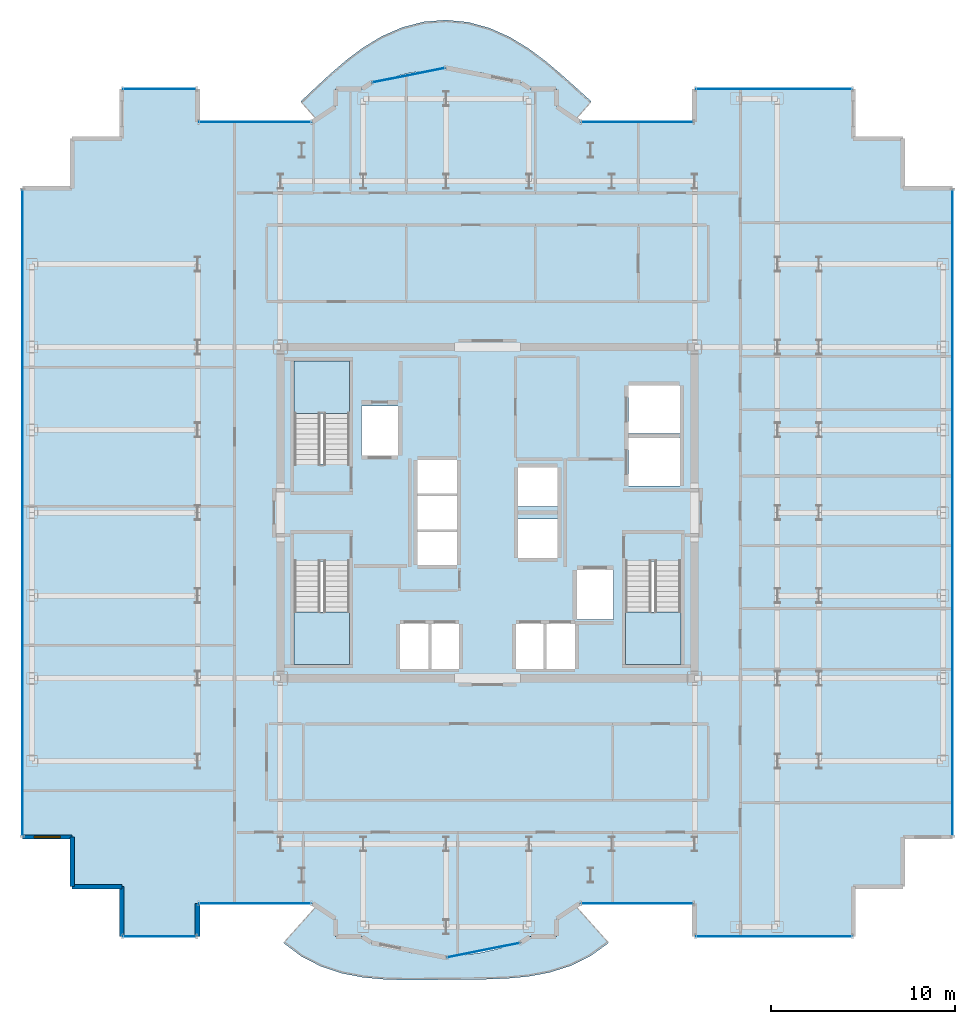
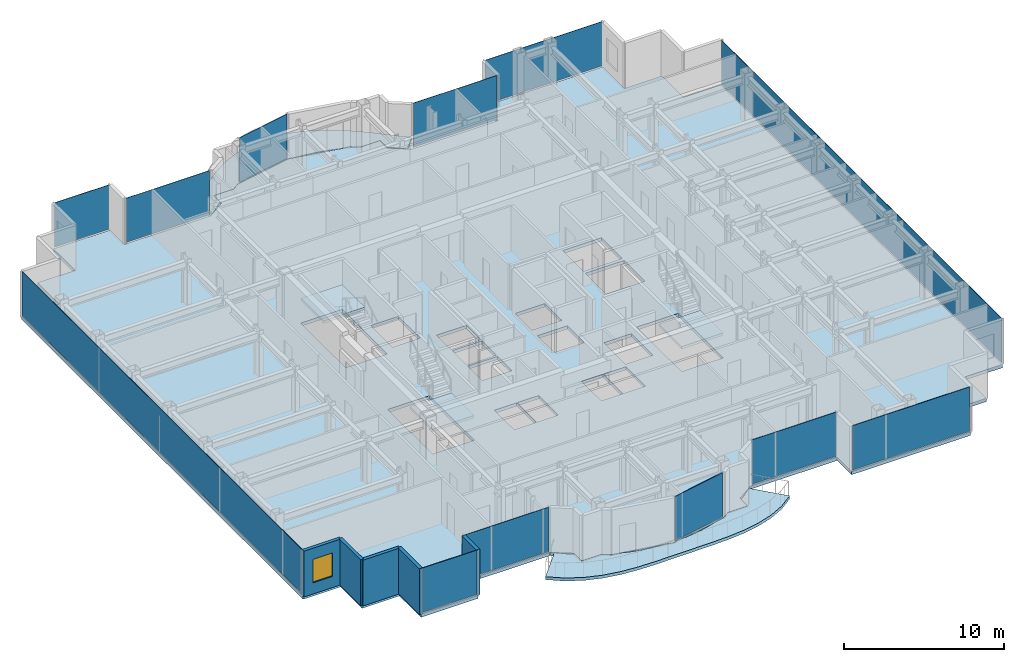
# One storey, part 13 of 21: 12 plates, 6 slabs, 5 walls, 1 window, 1 opening, 15 elements without a shape of their own.
"""IFC4 building model written with IfcOpenShell, lengths in metres."""

import ifcopenshell
import ifcopenshell.guid

model = None  # the IFC model being written
_history = None  # IfcOwnerHistory: only IFC2X3 demands one
_inside = {}  # id of a spatial element -> (the spatial element, [elements in it])
_under = {}  # id of a project, library or spatial element -> (it, [spatial elements below it])
_declared = {}  # id of a project -> (the project, [libraries it declares])
_typed = {}  # id of a type object -> (the type object, [elements of that type])
_made_of = {}  # id of a material, layer set ... -> (it, [elements and type objects made of it])


def new_model(schema):
    """Start an empty IFC model of exactly this schema.

    Asked for "IFC4X3", IfcOpenShell would pick the latest addendum, in which some entities
    have other attributes; the version numbers below select the first issue.
    IFC2X3 requires an IfcOwnerHistory on every rooted entity: one is made here for all.
    """
    global model, _history
    if schema == "IFC4X3":
        model = ifcopenshell.file(schema_version=(4, 3, 0, 0))
    else:
        model = ifcopenshell.file(schema=schema)
    _inside.clear()
    _under.clear()
    _declared.clear()
    _typed.clear()
    _made_of.clear()
    _history = None
    if model.schema == "IFC2X3":
        org = make("IfcOrganization", Name="unknown")
        user = make(
            "IfcPersonAndOrganization",
            ThePerson=make("IfcPerson", FamilyName="unknown"),
            TheOrganization=org,
        )
        app = make(
            "IfcApplication",
            ApplicationDeveloper=org,
            Version="unknown",
            ApplicationFullName="unknown",
            ApplicationIdentifier="unknown",
        )
        _history = make(
            "IfcOwnerHistory",
            OwningUser=user,
            OwningApplication=app,
            ChangeAction="ADDED",
            CreationDate=0,
        )
    return model


def make(cls, **values):
    """One entity of the class cls with the attributes given. An attribute that is None is left unset."""
    return model.create_entity(
        cls, **{name: value for name, value in values.items() if value is not None}
    )


def rooted(cls, **values):
    """An entity with a GlobalId (a new one), such as an element, a storey or a relation."""
    return make(cls, GlobalId=ifcopenshell.guid.new(), OwnerHistory=_history, **values)


def si_unit(unit_type, name, prefix=None):
    """IfcSIUnit, for example si_unit("LENGTHUNIT", "METRE", prefix="MILLI")."""
    return make("IfcSIUnit", UnitType=unit_type, Prefix=prefix, Name=name)


def assignment(units):
    """IfcUnitAssignment: the units of a project."""
    return None if units is None else make("IfcUnitAssignment", Units=units)


def point(xyz):
    """IfcCartesianPoint."""
    return None if xyz is None else make("IfcCartesianPoint", Coordinates=xyz)


def direction(xyz):
    """IfcDirection."""
    return None if xyz is None else make("IfcDirection", DirectionRatios=xyz)


def frame(location, z_axis=None, x_axis=None):
    """IfcAxis2Placement3D, a coordinate frame: its origin and axes. An axis left out is left unset."""
    return make(
        "IfcAxis2Placement3D",
        Location=point(location),
        Axis=direction(z_axis),
        RefDirection=direction(x_axis),
    )


def frame_2d(location, x_axis=None):
    """IfcAxis2Placement2D, a coordinate frame in the plane: its origin and x axis."""
    return make(
        "IfcAxis2Placement2D", Location=point(location), RefDirection=direction(x_axis)
    )


def origin():
    """The frame at (0, 0, 0) with its axes left unset."""
    return frame((0.0, 0.0, 0.0))


def origin_2d():
    """The frame at (0, 0) in the plane with its x axis left unset."""
    return frame_2d((0.0, 0.0))


def place(relative_to, where):
    """IfcLocalPlacement: puts the frame where relative to a parent placement (None: the world)."""
    return make(
        "IfcLocalPlacement", PlacementRelTo=relative_to, RelativePlacement=where
    )


def context(
    kind, dimensions, precision=None, world=None, true_north=None, identifier=None
):
    """IfcGeometricRepresentationContext, for example the 3D "Model" context."""
    return make(
        "IfcGeometricRepresentationContext",
        ContextIdentifier=identifier,
        ContextType=kind,
        CoordinateSpaceDimension=dimensions,
        Precision=precision,
        WorldCoordinateSystem=world,
        TrueNorth=true_north,
    )


def subcontext(parent, identifier, kind, view, scale=None):
    """IfcGeometricRepresentationSubContext, for example "Body" below "Model"."""
    return make(
        "IfcGeometricRepresentationSubContext",
        ContextIdentifier=identifier,
        ContextType=kind,
        ParentContext=parent,
        TargetScale=scale,
        TargetView=view,
    )


def project(units=None, contexts=None):
    """IfcProject with its units and contexts."""
    return rooted(
        "IfcProject",
        Name="project",
        RepresentationContexts=contexts,
        UnitsInContext=assignment(units),
    )


def spatial(cls, under=None, at=None, **own):
    """A site, building, storey or space (cls), placed at a placement, below another one or the project."""
    s = rooted(cls, ObjectPlacement=at, **own)
    if under is not None:
        _under.setdefault(under.id(), (under, []))[1].append(s)
    return s


def polyline(points):
    """IfcPolyline through the points."""
    return make("IfcPolyline", Points=[point(p) for p in points])


def profile(cls, at=None, kind="AREA", **sizes):
    """A parametric profile (cls). Its sizes go by their IFC names, for example OverallWidth=200.0."""
    return make(cls, ProfileType=kind, Position=at, **sizes)


def rectangle(**sizes):
    """IfcRectangleProfileDef."""
    return profile("IfcRectangleProfileDef", **sizes)


def outline(outer, holes=None, kind="AREA"):
    """IfcArbitraryClosedProfileDef: a profile drawn as a closed curve; with holes, ...WithVoids."""
    if holes is None:
        return make("IfcArbitraryClosedProfileDef", ProfileType=kind, OuterCurve=outer)
    return make(
        "IfcArbitraryProfileDefWithVoids",
        ProfileType=kind,
        OuterCurve=outer,
        InnerCurves=holes,
    )


def extrude(swept, where, along, depth):
    """IfcExtrudedAreaSolid: the profile swept, set in the frame where, extruded along a direction by depth."""
    return make(
        "IfcExtrudedAreaSolid",
        SweptArea=swept,
        Position=where,
        ExtrudedDirection=direction(along),
        Depth=depth,
    )


def shape(context_of_items, identifier, shape_type, items):
    """IfcShapeRepresentation: the items that make up one representation, for example the "Body"."""
    return make(
        "IfcShapeRepresentation",
        ContextOfItems=context_of_items,
        RepresentationIdentifier=identifier,
        RepresentationType=shape_type,
        Items=items,
    )


def source(mapping_origin, context_of_items, identifier, shape_type, items):
    """IfcRepresentationMap: a shape defined once, which mapped items show again and again."""
    return make(
        "IfcRepresentationMap",
        MappingOrigin=mapping_origin,
        MappedRepresentation=shape(context_of_items, identifier, shape_type, items),
    )


def transform(
    local_origin,
    x_axis=None,
    y_axis=None,
    z_axis=None,
    scale=None,
    scale2=None,
    scale3=None,
    uniform=True,
):
    """IfcCartesianTransformationOperator3D, or its non-uniform kind. x_axis, y_axis, z_axis: its Axis1, 2, 3."""
    if uniform:
        return make(
            "IfcCartesianTransformationOperator3D",
            Axis1=direction(x_axis),
            Axis2=direction(y_axis),
            LocalOrigin=point(local_origin),
            Scale=scale,
            Axis3=direction(z_axis),
        )
    return make(
        "IfcCartesianTransformationOperator3DnonUniform",
        Axis1=direction(x_axis),
        Axis2=direction(y_axis),
        LocalOrigin=point(local_origin),
        Scale=scale,
        Axis3=direction(z_axis),
        Scale2=scale2,
        Scale3=scale3,
    )


def mapped(mapping_source, mapping_target):
    """IfcMappedItem: shows the shape of a source again, moved by a transform."""
    return make(
        "IfcMappedItem", MappingSource=mapping_source, MappingTarget=mapping_target
    )


def material(Name=None, Category=None):
    """IfcMaterial."""
    return make("IfcMaterial", Name=Name, Category=Category)


def layer(
    of_material, thickness, ventilated=None, Name=None, Category=None, Priority=None
):
    """IfcMaterialLayer: one layer of a wall or slab, of a material (None: an air gap)."""
    return make(
        "IfcMaterialLayer",
        Material=of_material,
        LayerThickness=thickness,
        IsVentilated=ventilated,
        Name=Name,
        Category=Category,
        Priority=Priority,
    )


def layer_set(layers, Name=None):
    """IfcMaterialLayerSet."""
    return make("IfcMaterialLayerSet", MaterialLayers=layers, LayerSetName=Name)


def made_of(thing, what):
    """Note that an element or type object is made of a material, layer set ...; save() writes the relation."""
    if what is not None:
        _made_of.setdefault(what.id(), (what, []))[1].append(thing)
    return thing


def type_object(cls, material=None, **own):
    """A type object (cls), such as IfcWallType, which elements share."""
    return made_of(rooted(cls, **own), material)


def element(
    cls,
    number,
    at=None,
    inside=None,
    cuts=None,
    type_object=None,
    material=None,
    context=None,
    identifier="Body",
    shape_type=None,
    held_by="IfcProductDefinitionShape",
    body=None,
    shapes=None,
    **own,
):
    """One element of the class cls, such as IfcWall. Its Tag is "e" and its number.

    at: its placement. inside: the storey or other place that contains it. cuts: it is an
    opening in that element (IfcRelVoidsElement). A single representation is given by context,
    identifier, shape_type and body (its items); several are given by shapes. held_by: the class
    of the entity that holds the representations. save() writes the other relations.
    """
    e = rooted(cls, Tag="e%d" % number, ObjectPlacement=at, **own)
    if body is not None:
        shapes = [shape(context, identifier, shape_type, body)]
    if shapes is not None:
        e.Representation = make(held_by, Representations=shapes)
    if inside is not None:
        _inside.setdefault(inside.id(), (inside, []))[1].append(e)
    if cuts is not None:
        rooted(
            "IfcRelVoidsElement", RelatingBuildingElement=cuts, RelatedOpeningElement=e
        )
    if type_object is not None:
        _typed.setdefault(type_object.id(), (type_object, []))[1].append(e)
    return made_of(e, material)


def fill(opening, filler):
    """IfcRelFillsElement: the door or window that sits in an opening."""
    return rooted(
        "IfcRelFillsElement",
        RelatingOpeningElement=opening,
        RelatedBuildingElement=filler,
    )


def aggregate(whole, parts):
    """IfcRelAggregates: a whole, such as a stair, and the parts it consists of."""
    return rooted("IfcRelAggregates", RelatingObject=whole, RelatedObjects=parts)


def save(model, path):
    """Write the relations noted so far, then the file.

    IfcRelAggregates (storeys below a building ...), IfcRelContainedInSpatialStructure (elements
    in a storey), IfcRelDefinesByType, IfcRelAssociatesMaterial and IfcRelDeclares: one each for
    every whole, place, type object, material and project.
    """
    for whole, parts in _under.values():
        aggregate(whole, parts)
    for where, things in _inside.values():
        rooted(
            "IfcRelContainedInSpatialStructure",
            RelatedElements=things,
            RelatingStructure=where,
        )
    for kind, things in _typed.values():
        rooted("IfcRelDefinesByType", RelatedObjects=things, RelatingType=kind)
    for what, things in _made_of.values():
        rooted("IfcRelAssociatesMaterial", RelatedObjects=things, RelatingMaterial=what)
    for by, libraries in _declared.values():
        rooted("IfcRelDeclares", RelatingContext=by, RelatedDefinitions=libraries)
    model.write(path)


model = new_model("IFC4")

# Units and contexts
model_context = context("Model", 3, precision=1e-05, world=origin(), true_north=direction((0.0, 1.0)))
body_context = subcontext(model_context, "Body", "Model", "MODEL_VIEW")
ifc_project = project(units=[si_unit("LENGTHUNIT", "METRE"), si_unit("AREAUNIT", "SQUARE_METRE"), si_unit("VOLUMEUNIT", "CUBIC_METRE"), si_unit("PLANEANGLEUNIT", "RADIAN"), si_unit("MASSUNIT", "GRAM", prefix="KILO")], contexts=[model_context])

# Site, building, storey
site_placement = place(None, origin())
site = spatial("IfcSite", under=ifc_project, at=site_placement, CompositionType="ELEMENT")
building_placement = place(site_placement, origin())
building = spatial("IfcBuilding", under=site, at=building_placement, Name="Nefas-Gora Pilgrimage Tower", CompositionType="ELEMENT")
storey_placement = place(building_placement, frame((0.0, 0.0, 256.0)))
storey = spatial("IfcBuildingStorey", under=building, at=storey_placement, Name="L64", CompositionType="ELEMENT", Elevation=256.0)

# Slabs
ifc_material_1 = material(Name="Concrete C40/50", Category="concrete")
ifc_layer_1 = layer(ifc_material_1, 0.22998046875)
ifc_layer_set_1 = layer_set([ifc_layer_1], Name="Concrete C40/50")
slab_type_1 = type_object("IfcSlabType", Name="SLB-BAL-P2", PredefinedType="FLOOR", material=ifc_layer_set_1)
slab_1_placement = place(storey_placement, frame((0.0, 0.0, -0.22998046875)))
element("IfcSlab", 1, at=slab_1_placement, inside=storey, type_object=slab_type_1, Name="L64 Sinusoidal Lobe Balcony Slab S (Phase 2)", PredefinedType="FLOOR", context=body_context, shape_type="SweptSolid", body=[
    extrude(outline(polyline([(4.78759765625, -21.385986328125), (4.724609375, -21.427978515625), (4.038330078125, -21.9912109375), (3.760009765625, -22.179931640625), (3.760009765625, -23.02001953125), (3.760009765625, -23.02099609375), (3.759765625, -23.02197265625), (3.759521484375, -23.02294921875), (3.75927734375, -23.023681640625), (3.7587890625, -23.024658203125), (3.75830078125, -23.025634765625), (3.7578125, -23.0263671875), (3.757080078125, -23.027099609375), (3.75634765625, -23.027587890625), (3.755615234375, -23.0283203125), (3.754638671875, -23.02880859375), (3.75390625, -23.029296875), (3.7529296875, -23.029541015625), (3.751953125, -23.02978515625), (3.7509765625, -23.030029296875), (3.75, -23.030029296875), (2.3271484375, -23.030029296875), (1.81298828125, -23.37353515625), (1.81201171875, -23.3740234375), (1.811279296875, -23.37451171875), (1.810302734375, -23.375), (1.809326171875, -23.375), (1.13037109375, -23.51025390625), (0.602783203125, -23.685302734375), (-0.334716796875, -23.904052734375), (-1.288330078125, -24.035888671875), (-1.580078125, -24.04931640625), (-2.248046875, -24.18212890625), (-2.2490234375, -24.182373046875), (-2.25, -24.182373046875), (-2.2509765625, -24.182373046875), (-2.251953125, -24.18212890625), (-2.919921875, -24.04931640625), (-3.211669921875, -24.035888671875), (-4.165283203125, -23.904052734375), (-5.102783203125, -23.685302734375), (-5.63037109375, -23.51025390625), (-6.309326171875, -23.375), (-6.310302734375, -23.375), (-6.311279296875, -23.37451171875), (-6.31201171875, -23.3740234375), (-6.31298828125, -23.37353515625), (-6.8271484375, -23.030029296875), (-8.25, -23.030029296875), (-8.2509765625, -23.030029296875), (-8.251953125, -23.02978515625), (-8.2529296875, -23.029541015625), (-8.25390625, -23.029296875), (-8.254638671875, -23.02880859375), (-8.255615234375, -23.0283203125), (-8.25634765625, -23.027587890625), (-8.257080078125, -23.027099609375), (-8.2578125, -23.0263671875), (-8.25830078125, -23.025634765625), (-8.2587890625, -23.024658203125), (-8.25927734375, -23.023681640625), (-8.259521484375, -23.02294921875), (-8.259765625, -23.02197265625), (-8.260009765625, -23.02099609375), (-8.260009765625, -23.02001953125), (-8.260009765625, -22.179931640625), (-8.538330078125, -21.9912109375), (-9.224609375, -21.427978515625), (-9.28759765625, -21.385986328125), (-11.08251953125, -23.37939453125), (-10.11669921875, -24.10498046875), (-9.04248046875, -24.654296875), (-7.901611328125, -25.0302734375), (-6.73486328125, -25.25341796875), (-5.574951171875, -25.359130859375), (-4.440673828125, -25.389404296875), (-3.33544921875, -25.3837890625), (-2.25, -25.37060546875), (-1.16650390625, -25.36181640625), (-0.06689453125, -25.349365234375), (1.060302734375, -25.307861328125), (2.214111328125, -25.19921875), (3.37744140625, -24.9814453125), (4.5205078125, -24.618408203125), (5.602294921875, -24.085693359375), (6.580810546875, -23.377685546875), (4.78759765625, -21.385986328125)])), origin(), (0.0, 0.0, 1.0), 0.22998046875),
])
ifc_layer_2 = layer(ifc_material_1, 0.219970703125)
ifc_layer_set_2 = layer_set([ifc_layer_2], Name="Concrete C40/50")
slab_type_2 = type_object("IfcSlabType", Name="SLB-BAL-P6", PredefinedType="FLOOR", material=ifc_layer_set_2)
slab_2_placement = place(storey_placement, frame((0.0, 0.0, -0.219970703125)))
element("IfcSlab", 2, at=slab_2_placement, inside=storey, type_object=slab_type_2, Name="L64 Sinusoidal Lobe Balcony Slab N (Phase 6)", PredefinedType="FLOOR", context=body_context, shape_type="SweptSolid", body=[
    extrude(outline(polyline([(-9.28759765625, 21.385986328125), (-9.224609375, 21.427978515625), (-8.538330078125, 21.9912109375), (-8.260009765625, 22.179931640625), (-8.260009765625, 23.02001953125), (-8.260009765625, 23.02099609375), (-8.259765625, 23.02197265625), (-8.259521484375, 23.02294921875), (-8.25927734375, 23.023681640625), (-8.2587890625, 23.024658203125), (-8.25830078125, 23.025634765625), (-8.2578125, 23.0263671875), (-8.257080078125, 23.027099609375), (-8.25634765625, 23.027587890625), (-8.255615234375, 23.0283203125), (-8.254638671875, 23.02880859375), (-8.25390625, 23.029296875), (-8.2529296875, 23.029541015625), (-8.251953125, 23.02978515625), (-8.2509765625, 23.030029296875), (-8.25, 23.030029296875), (-6.8271484375, 23.030029296875), (-6.31298828125, 23.37353515625), (-6.31201171875, 23.3740234375), (-6.311279296875, 23.37451171875), (-6.310302734375, 23.375), (-6.309326171875, 23.375), (-5.63037109375, 23.51025390625), (-5.102783203125, 23.685302734375), (-4.165283203125, 23.904052734375), (-3.211669921875, 24.035888671875), (-2.919921875, 24.04931640625), (-2.251953125, 24.18212890625), (-2.2509765625, 24.182373046875), (-2.25, 24.182373046875), (-2.2490234375, 24.182373046875), (-2.248046875, 24.18212890625), (-1.580078125, 24.04931640625), (-1.288330078125, 24.035888671875), (-0.334716796875, 23.904052734375), (0.602783203125, 23.685302734375), (1.13037109375, 23.51025390625), (1.809326171875, 23.375), (1.810302734375, 23.375), (1.811279296875, 23.37451171875), (1.81201171875, 23.3740234375), (1.81298828125, 23.37353515625), (2.3271484375, 23.030029296875), (3.75, 23.030029296875), (3.7509765625, 23.030029296875), (3.751953125, 23.02978515625), (3.7529296875, 23.029541015625), (3.75390625, 23.029296875), (3.754638671875, 23.02880859375), (3.755615234375, 23.0283203125), (3.75634765625, 23.027587890625), (3.757080078125, 23.027099609375), (3.7578125, 23.0263671875), (3.75830078125, 23.025634765625), (3.7587890625, 23.024658203125), (3.75927734375, 23.023681640625), (3.759521484375, 23.02294921875), (3.759765625, 23.02197265625), (3.760009765625, 23.02099609375), (3.760009765625, 23.02001953125), (3.760009765625, 22.179931640625), (4.038330078125, 21.9912109375), (4.724609375, 21.427978515625), (4.78759765625, 21.385986328125), (5.645751953125, 22.339111328125), (4.84130859375, 23.06640625), (4.02001953125, 23.801513671875), (3.15576171875, 24.53173828125), (2.224365234375, 25.226318359375), (1.211181640625, 25.84228515625), (0.115234375, 26.33203125), (-1.048095703125, 26.6513671875), (-2.25, 26.769287109375), (-3.4541015625, 26.67333984375), (-4.622802734375, 26.3720703125), (-5.7255859375, 25.8935546875), (-6.7451171875, 25.280517578125), (-7.6796875, 24.580322265625), (-8.5419921875, 23.837646484375), (-9.355712890625, 23.085693359375), (-10.1474609375, 22.3408203125), (-9.28759765625, 21.385986328125)])), origin(), (0.0, 0.0, 1.0), 0.219970703125),
])
ifc_layer_3 = layer(ifc_material_1, 0.25)
ifc_layer_set_3 = layer_set([ifc_layer_3], Name="Concrete C40/50")
slab_type_3 = type_object("IfcSlabType", Name="SLB-TWR-260", PredefinedType="FLOOR", material=ifc_layer_set_3)
slab_3_placement = place(storey_placement, frame((0.0, 0.0, -0.25)))
element("IfcSlab", 3, at=slab_3_placement, inside=storey, type_object=slab_type_3, Name="L64 Structural Floor Slab", PredefinedType="FLOOR", context=body_context, shape_type="SweptSolid", body=[
    extrude(outline(polyline([(5.01806640625, -21.219970703125), (11.25, -21.219970703125), (11.25, -23.02001953125), (19.8701171875, -23.02001953125), (19.8701171875, -20.320068359375), (22.570068359375, -20.320068359375), (22.570068359375, -17.6201171875), (25.27001953125, -17.6201171875), (25.27001953125, 17.6201171875), (22.570068359375, 17.6201171875), (22.570068359375, 20.320068359375), (19.8701171875, 20.320068359375), (19.8701171875, 23.02001953125), (11.25, 23.02001953125), (11.25, 21.219970703125), (5.01806640625, 21.219970703125), (3.75, 22.0673828125), (3.75, 23.02001953125), (2.32421875, 23.02001953125), (1.807373046875, 23.365234375), (-2.25, 24.17236328125), (-6.307373046875, 23.365234375), (-6.82421875, 23.02001953125), (-8.25, 23.02001953125), (-8.25, 22.0673828125), (-9.51806640625, 21.219970703125), (-15.75, 21.219970703125), (-15.75, 23.02001953125), (-19.8701171875, 23.02001953125), (-19.8701171875, 20.320068359375), (-22.570068359375, 20.320068359375), (-22.570068359375, 17.6201171875), (-25.27001953125, 17.6201171875), (-25.27001953125, -17.6201171875), (-22.570068359375, -17.6201171875), (-22.570068359375, -20.320068359375), (-19.8701171875, -20.320068359375), (-19.8701171875, -23.02001953125), (-15.75, -23.02001953125), (-15.75, -21.219970703125), (-9.51806640625, -21.219970703125), (-8.25, -22.0673828125), (-8.25, -23.02001953125), (-6.82421875, -23.02001953125), (-6.307373046875, -23.365234375), (-2.25, -24.17236328125), (1.807373046875, -23.365234375), (2.32421875, -23.02001953125), (3.75, -23.02001953125), (3.75, -22.0673828125), (5.01806640625, -21.219970703125)]), holes=[polyline([(-10.5, 2.639892578125), (-10.5, 8.25), (-7.5, 8.25), (-7.5, 2.639892578125), (-10.5, 2.639892578125)]), polyline([(10.5, -2.639892578125), (10.5, -8.25), (7.5, -8.25), (7.5, -2.639892578125), (10.5, -2.639892578125)]), polyline([(-7.5, -2.639892578125), (-7.5, -8.25), (-10.5, -8.25), (-10.5, -2.639892578125), (-7.5, -2.639892578125)]), polyline([(-6.85009765625, 5.800048828125), (-4.85009765625, 5.800048828125), (-4.85009765625, 3.10009765625), (-6.85009765625, 3.10009765625), (-6.85009765625, 5.800048828125)]), polyline([(4.85009765625, -3.10009765625), (6.85009765625, -3.10009765625), (6.85009765625, -5.800048828125), (4.85009765625, -5.800048828125), (4.85009765625, -3.10009765625)]), polyline([(7.64990234375, 4.050048828125), (10.449951171875, 4.050048828125), (10.449951171875, 1.449951171875), (7.64990234375, 1.449951171875), (7.64990234375, 4.050048828125)]), polyline([(7.64990234375, 6.89990234375), (10.449951171875, 6.89990234375), (10.449951171875, 4.300048828125), (7.64990234375, 4.300048828125), (7.64990234375, 6.89990234375)]), polyline([(-4.75, -6.050048828125), (-3.14990234375, -6.050048828125), (-3.14990234375, -8.5), (-4.75, -8.5), (-4.75, -6.050048828125)]), polyline([(-3.10009765625, -6.050048828125), (-1.550048828125, -6.050048828125), (-1.550048828125, -8.5), (-3.10009765625, -8.5), (-3.10009765625, -6.050048828125)]), polyline([(1.550048828125, -6.050048828125), (3.10009765625, -6.050048828125), (3.10009765625, -8.5), (1.550048828125, -8.5), (1.550048828125, -6.050048828125)]), polyline([(3.14990234375, -6.050048828125), (4.75, -6.050048828125), (4.75, -8.5), (3.14990234375, -8.5), (3.14990234375, -6.050048828125)]), polyline([(-3.800048828125, -1.050048828125), (-1.64990234375, -1.050048828125), (-1.64990234375, -2.85009765625), (-3.800048828125, -2.85009765625), (-3.800048828125, -1.050048828125)]), polyline([(-3.800048828125, 0.89990234375), (-1.64990234375, 0.89990234375), (-1.64990234375, -0.89990234375), (-3.800048828125, -0.89990234375), (-3.800048828125, 0.89990234375)]), polyline([(-3.800048828125, 2.85009765625), (-1.64990234375, 2.85009765625), (-1.64990234375, 1.050048828125), (-3.800048828125, 1.050048828125), (-3.800048828125, 2.85009765625)]), polyline([(1.64990234375, -0.35009765625), (3.800048828125, -0.35009765625), (3.800048828125, -2.449951171875), (1.64990234375, -2.449951171875), (1.64990234375, -0.35009765625)]), polyline([(1.64990234375, 2.449951171875), (3.800048828125, 2.449951171875), (3.800048828125, 0.35009765625), (1.64990234375, 0.35009765625), (1.64990234375, 2.449951171875)])]), origin(), (0.0, 0.0, 1.0), 0.25),
])

# Stair, slab
ifc_material_2 = material(Name="Concrete C45/55", Category="concrete")
stair_type = type_object("IfcStairType", Name="STR-1400-R1727", PredefinedType="HALF_TURN_STAIR", material=ifc_material_2)
stair_1_placement = place(storey_placement, origin())
stair_1 = element("IfcStair", 4, at=stair_1_placement, inside=storey, type_object=stair_type, Name="L64 Pressurised Tower Exit Stair ST-01", PredefinedType="HALF_TURN_STAIR")
ifc_layer_4 = layer(ifc_material_1, 0.199951171875)
ifc_layer_set_4 = layer_set([ifc_layer_4], Name="Concrete C40/50")
slab_type_4 = type_object("IfcSlabType", Name="STR-LAND-200", PredefinedType="LANDING", material=ifc_layer_set_4)
slab_4_placement = place(storey_placement, frame((0.0, 0.0, 1.699951171875)))
slab_4 = element("IfcSlab", 5, at=slab_4_placement, type_object=slab_type_4, Name="ST-01 landing 1", PredefinedType="LANDING", context=body_context, shape_type="SweptSolid", body=[
    extrude(outline(polyline([(-7.5, 5.39990234375), (-7.5, 8.25), (-10.5, 8.25), (-10.5, 5.39990234375), (-7.5, 5.39990234375)])), origin(), (0.0, 0.0, 1.0), 0.199951171875),
])
aggregate(stair_1, [slab_4])

stair_2_placement = place(storey_placement, origin())
stair_2 = element("IfcStair", 6, at=stair_2_placement, inside=storey, type_object=stair_type, Name="L64 Pressurised Tower Exit Stair ST-02", PredefinedType="HALF_TURN_STAIR")
slab_5_placement = place(storey_placement, frame((0.0, 0.0, 1.699951171875)))
slab_5 = element("IfcSlab", 7, at=slab_5_placement, type_object=slab_type_4, Name="ST-02 landing 1", PredefinedType="LANDING", context=body_context, shape_type="SweptSolid", body=[
    extrude(outline(polyline([(7.5, -5.39990234375), (7.5, -8.25), (10.5, -8.25), (10.5, -5.39990234375), (7.5, -5.39990234375)])), origin(), (0.0, 0.0, 1.0), 0.199951171875),
])
aggregate(stair_2, [slab_5])

stair_3_placement = place(storey_placement, origin())
stair_3 = element("IfcStair", 8, at=stair_3_placement, inside=storey, type_object=stair_type, Name="L64 Pressurised Tower Exit Stair ST-03", PredefinedType="HALF_TURN_STAIR")
slab_6_placement = place(storey_placement, frame((0.0, 0.0, 1.699951171875)))
slab_6 = element("IfcSlab", 9, at=slab_6_placement, type_object=slab_type_4, Name="ST-03 landing 1", PredefinedType="LANDING", context=body_context, shape_type="SweptSolid", body=[
    extrude(outline(polyline([(-10.5, -5.39990234375), (-10.5, -8.25), (-7.5, -8.25), (-7.5, -5.39990234375), (-10.5, -5.39990234375)])), origin(), (0.0, 0.0, 1.0), 0.199951171875),
])
aggregate(stair_3, [slab_6])

# Curtain wall, plate
ifc_material_3 = material(Name="Dark ceramic-fritted solar-control aluminium-glass curtain wall", Category="aluminium")
ifc_layer_5 = layer(ifc_material_3, 0.219970703125)
ifc_layer_set_5 = layer_set([ifc_layer_5], Name="Dark ceramic-fritted solar-control aluminium-glass curtain wall")
curtain_wall_type_1 = type_object("IfcCurtainWallType", Name="CW-SYS-5", PredefinedType="NOTDEFINED", material=ifc_layer_set_5)
curtain_wall_1_placement = place(storey_placement, origin())
curtain_wall_1 = element("IfcCurtainWall", 10, at=curtain_wall_1_placement, inside=storey, type_object=curtain_wall_type_1, Name="L64 Unitised Curtain Wall CW5", PredefinedType="NOTDEFINED")
ifc_material_4 = material(Name="Dark ceramic-printed low-e insulated glass", Category="glass")
ifc_layer_6 = layer(ifc_material_4, 0.028076171875)
ifc_layer_set_6 = layer_set([ifc_layer_6], Name="Dark ceramic-printed low-e insulated glass")
plate_type_1 = type_object("IfcPlateType", Name="CWP-PNL-5", PredefinedType="CURTAIN_PANEL", material=ifc_layer_set_6)
shared_shape_1 = source(origin(), body_context, "Body", "SweptSolid", [
    extrude(rectangle(XDim=6.052001953125, YDim=0.028076171875, at=origin_2d()), origin(), (0.0, 0.0, 1.0), 3.389892578125),
])
plate_1_placement = place(storey_placement, frame((8.134033203125, -21.219970703125, 0.10009765625), z_axis=(0.0, 0.0, 1.0), x_axis=(1.0, 0.0, 0.0)))
plate_1 = element("IfcPlate", 11, at=plate_1_placement, type_object=plate_type_1, Name="CW5 Ceramic-Fritted Glazing Panel 1", PredefinedType="CURTAIN_PANEL", context=body_context, shape_type="MappedRepresentation", body=[
    mapped(shared_shape_1, transform((0.0, 0.0, 0.0), x_axis=(1.0, 0.0, 0.0), y_axis=(0.0, 1.0, 0.0), z_axis=(0.0, 0.0, 1.0), scale=1.0)),
])
aggregate(curtain_wall_1, [plate_1])

curtain_wall_2_placement = place(storey_placement, origin())
curtain_wall_2 = element("IfcCurtainWall", 12, at=curtain_wall_2_placement, inside=storey, type_object=curtain_wall_type_1, Name="L64 Unitised Curtain Wall CW5", PredefinedType="NOTDEFINED")
plate_2_placement = place(storey_placement, frame((8.134033203125, 21.219970703125, 0.10009765625), z_axis=(0.0, 0.0, 1.0), x_axis=(-1.0, 0.0, 0.0)))
plate_2 = element("IfcPlate", 13, at=plate_2_placement, type_object=plate_type_1, Name="CW5 Ceramic-Fritted Glazing Panel 1", PredefinedType="CURTAIN_PANEL", context=body_context, shape_type="MappedRepresentation", body=[
    mapped(shared_shape_1, transform((0.0, 0.0, 0.0), x_axis=(1.0, 0.0, 0.0), y_axis=(0.0, 1.0, 0.0), z_axis=(0.0, 0.0, 1.0), scale=1.0)),
])
aggregate(curtain_wall_2, [plate_2])

curtain_wall_3_placement = place(storey_placement, origin())
curtain_wall_3 = element("IfcCurtainWall", 14, at=curtain_wall_3_placement, inside=storey, type_object=curtain_wall_type_1, Name="L64 Unitised Curtain Wall CW5", PredefinedType="NOTDEFINED")
plate_3_placement = place(storey_placement, frame((-12.634033203125, 21.219970703125, 0.10009765625), z_axis=(0.0, 0.0, 1.0), x_axis=(-1.0, 0.0, 0.0)))
plate_3 = element("IfcPlate", 15, at=plate_3_placement, type_object=plate_type_1, Name="CW5 Ceramic-Fritted Glazing Panel 1", PredefinedType="CURTAIN_PANEL", context=body_context, shape_type="MappedRepresentation", body=[
    mapped(shared_shape_1, transform((0.0, 0.0, 0.0), x_axis=(1.0, 0.0, 0.0), y_axis=(0.0, 1.0, 0.0), z_axis=(0.0, 0.0, 1.0), scale=1.0)),
])
aggregate(curtain_wall_3, [plate_3])

curtain_wall_4_placement = place(storey_placement, origin())
curtain_wall_4 = element("IfcCurtainWall", 16, at=curtain_wall_4_placement, inside=storey, type_object=curtain_wall_type_1, Name="L64 Unitised Curtain Wall CW5", PredefinedType="NOTDEFINED")
plate_4_placement = place(storey_placement, frame((-12.634033203125, -21.219970703125, 0.10009765625), z_axis=(0.0, 0.0, 1.0), x_axis=(1.0, 0.0, 0.0)))
plate_4 = element("IfcPlate", 17, at=plate_4_placement, type_object=plate_type_1, Name="CW5 Ceramic-Fritted Glazing Panel 1", PredefinedType="CURTAIN_PANEL", context=body_context, shape_type="MappedRepresentation", body=[
    mapped(shared_shape_1, transform((0.0, 0.0, 0.0), x_axis=(1.0, 0.0, 0.0), y_axis=(0.0, 1.0, 0.0), z_axis=(0.0, 0.0, 1.0), scale=1.0)),
])
aggregate(curtain_wall_4, [plate_4])

curtain_wall_5_placement = place(storey_placement, origin())
curtain_wall_5 = element("IfcCurtainWall", 18, at=curtain_wall_5_placement, inside=storey, type_object=curtain_wall_type_1, Name="L64 Unitised Curtain Wall CW5", PredefinedType="NOTDEFINED")
shared_shape_2 = source(origin(), body_context, "Body", "SweptSolid", [
    extrude(rectangle(XDim=3.956787109375, YDim=0.028076171875, at=origin_2d()), origin(), (0.0, 0.0, 1.0), 3.389892578125),
])
plate_5_placement = place(storey_placement, frame((-4.278564453125, 23.768798828125, 0.10009765625), z_axis=(0.0, 0.0, 1.0), x_axis=(-0.980782896852, -0.195102304554, 0.0)))
plate_5 = element("IfcPlate", 19, at=plate_5_placement, type_object=plate_type_1, Name="CW5 Ceramic-Fritted Glazing Panel 1", PredefinedType="CURTAIN_PANEL", context=body_context, shape_type="MappedRepresentation", body=[
    mapped(shared_shape_2, transform((0.0, 0.0, 0.0), x_axis=(1.0, 0.0, 0.0), y_axis=(0.0, 1.0, 0.0), z_axis=(0.0, 0.0, 1.0), scale=1.0)),
])
aggregate(curtain_wall_5, [plate_5])

curtain_wall_6_placement = place(storey_placement, origin())
curtain_wall_6 = element("IfcCurtainWall", 20, at=curtain_wall_6_placement, inside=storey, type_object=curtain_wall_type_1, Name="L64 Unitised Curtain Wall CW5", PredefinedType="NOTDEFINED")
plate_6_placement = place(storey_placement, frame((-0.221435546875, -23.768798828125, 0.10009765625), z_axis=(0.0, 0.0, 1.0), x_axis=(0.980782896852, 0.195102304554, 0.0)))
plate_6 = element("IfcPlate", 21, at=plate_6_placement, type_object=plate_type_1, Name="CW5 Ceramic-Fritted Glazing Panel 1", PredefinedType="CURTAIN_PANEL", context=body_context, shape_type="MappedRepresentation", body=[
    mapped(shared_shape_2, transform((0.0, 0.0, 0.0), x_axis=(1.0, 0.0, 0.0), y_axis=(0.0, 1.0, 0.0), z_axis=(0.0, 0.0, 1.0), scale=1.0)),
])
aggregate(curtain_wall_6, [plate_6])

ifc_layer_7 = layer(ifc_material_3, 0.219970703125)
ifc_layer_set_7 = layer_set([ifc_layer_7], Name="Dark ceramic-fritted solar-control aluminium-glass curtain wall")
curtain_wall_type_2 = type_object("IfcCurtainWallType", Name="CW-SYS-3", PredefinedType="NOTDEFINED", material=ifc_layer_set_7)
curtain_wall_7_placement = place(storey_placement, origin())
curtain_wall_7 = element("IfcCurtainWall", 22, at=curtain_wall_7_placement, inside=storey, type_object=curtain_wall_type_2, Name="L64 Unitised Curtain Wall CW3", PredefinedType="NOTDEFINED")
ifc_layer_8 = layer(ifc_material_4, 0.033935546875)
ifc_layer_set_8 = layer_set([ifc_layer_8], Name="Dark ceramic-printed low-e insulated glass")
plate_type_2 = type_object("IfcPlateType", Name="CWP-PNL-3", PredefinedType="CURTAIN_PANEL", material=ifc_layer_set_8)
shared_shape_3 = source(origin(), body_context, "Body", "SweptSolid", [
    extrude(rectangle(XDim=8.43994140625, YDim=0.033935546875, at=origin_2d()), origin(), (0.0, 0.0, 1.0), 3.389892578125),
])
plate_7_placement = place(storey_placement, frame((15.56005859375, -23.02001953125, 0.10009765625), z_axis=(0.0, 0.0, 1.0), x_axis=(1.0, 0.0, 0.0)))
plate_7 = element("IfcPlate", 23, at=plate_7_placement, type_object=plate_type_2, Name="CW3 Ceramic-Fritted Glazing Panel 1", PredefinedType="CURTAIN_PANEL", context=body_context, shape_type="MappedRepresentation", body=[
    mapped(shared_shape_3, transform((0.0, 0.0, 0.0), x_axis=(1.0, 0.0, 0.0), y_axis=(0.0, 1.0, 0.0), z_axis=(0.0, 0.0, 1.0), scale=1.0)),
])
aggregate(curtain_wall_7, [plate_7])

curtain_wall_8_placement = place(storey_placement, origin())
curtain_wall_8 = element("IfcCurtainWall", 24, at=curtain_wall_8_placement, inside=storey, type_object=curtain_wall_type_2, Name="L64 Unitised Curtain Wall CW3", PredefinedType="NOTDEFINED")
plate_8_placement = place(storey_placement, frame((15.56005859375, 23.02001953125, 0.10009765625), z_axis=(0.0, 0.0, 1.0), x_axis=(-1.0, 0.0, 0.0)))
plate_8 = element("IfcPlate", 25, at=plate_8_placement, type_object=plate_type_2, Name="CW3 Ceramic-Fritted Glazing Panel 1", PredefinedType="CURTAIN_PANEL", context=body_context, shape_type="MappedRepresentation", body=[
    mapped(shared_shape_3, transform((0.0, 0.0, 0.0), x_axis=(1.0, 0.0, 0.0), y_axis=(0.0, 1.0, 0.0), z_axis=(0.0, 0.0, 1.0), scale=1.0)),
])
aggregate(curtain_wall_8, [plate_8])

curtain_wall_9_placement = place(storey_placement, origin())
curtain_wall_9 = element("IfcCurtainWall", 26, at=curtain_wall_9_placement, inside=storey, type_object=curtain_wall_type_2, Name="L64 Unitised Curtain Wall CW3", PredefinedType="NOTDEFINED")
shared_shape_4 = source(origin(), body_context, "Body", "SweptSolid", [
    extrude(rectangle(XDim=35.06005859375, YDim=0.033935546875, at=origin_2d()), origin(), (0.0, 0.0, 1.0), 3.389892578125),
])
plate_9_placement = place(storey_placement, frame((25.27001953125, 0.0, 0.10009765625), z_axis=(0.0, 0.0, 1.0), x_axis=(0.0, 1.0, 0.0)))
plate_9 = element("IfcPlate", 27, at=plate_9_placement, type_object=plate_type_2, Name="CW3 Ceramic-Fritted Glazing Panel 1", PredefinedType="CURTAIN_PANEL", context=body_context, shape_type="MappedRepresentation", body=[
    mapped(shared_shape_4, transform((0.0, 0.0, 0.0), x_axis=(1.0, 0.0, 0.0), y_axis=(0.0, 1.0, 0.0), z_axis=(0.0, 0.0, 1.0), scale=1.0)),
])
aggregate(curtain_wall_9, [plate_9])

curtain_wall_10_placement = place(storey_placement, origin())
curtain_wall_10 = element("IfcCurtainWall", 28, at=curtain_wall_10_placement, inside=storey, type_object=curtain_wall_type_2, Name="L64 Unitised Curtain Wall CW3", PredefinedType="NOTDEFINED")
plate_10_placement = place(storey_placement, frame((-25.27001953125, 0.0, 0.10009765625), z_axis=(0.0, 0.0, 1.0), x_axis=(0.0, -1.0, 0.0)))
plate_10 = element("IfcPlate", 29, at=plate_10_placement, type_object=plate_type_2, Name="CW3 Ceramic-Fritted Glazing Panel 1", PredefinedType="CURTAIN_PANEL", context=body_context, shape_type="MappedRepresentation", body=[
    mapped(shared_shape_4, transform((0.0, 0.0, 0.0), x_axis=(1.0, 0.0, 0.0), y_axis=(0.0, 1.0, 0.0), z_axis=(0.0, 0.0, 1.0), scale=1.0)),
])
aggregate(curtain_wall_10, [plate_10])

curtain_wall_11_placement = place(storey_placement, origin())
curtain_wall_11 = element("IfcCurtainWall", 30, at=curtain_wall_11_placement, inside=storey, type_object=curtain_wall_type_2, Name="L64 Unitised Curtain Wall CW3", PredefinedType="NOTDEFINED")
shared_shape_5 = source(origin(), body_context, "Body", "SweptSolid", [
    extrude(rectangle(XDim=3.93994140625, YDim=0.033935546875, at=origin_2d()), origin(), (0.0, 0.0, 1.0), 3.389892578125),
])
plate_11_placement = place(storey_placement, frame((-17.81005859375, 23.02001953125, 0.10009765625), z_axis=(0.0, 0.0, 1.0), x_axis=(-1.0, 0.0, 0.0)))
plate_11 = element("IfcPlate", 31, at=plate_11_placement, type_object=plate_type_2, Name="CW3 Ceramic-Fritted Glazing Panel 1", PredefinedType="CURTAIN_PANEL", context=body_context, shape_type="MappedRepresentation", body=[
    mapped(shared_shape_5, transform((0.0, 0.0, 0.0), x_axis=(1.0, 0.0, 0.0), y_axis=(0.0, 1.0, 0.0), z_axis=(0.0, 0.0, 1.0), scale=1.0)),
])
aggregate(curtain_wall_11, [plate_11])

curtain_wall_12_placement = place(storey_placement, origin())
curtain_wall_12 = element("IfcCurtainWall", 32, at=curtain_wall_12_placement, inside=storey, type_object=curtain_wall_type_2, Name="L64 Unitised Curtain Wall CW3", PredefinedType="NOTDEFINED")
plate_12_placement = place(storey_placement, frame((-17.81005859375, -23.02001953125, 0.10009765625), z_axis=(0.0, 0.0, 1.0), x_axis=(1.0, 0.0, 0.0)))
plate_12 = element("IfcPlate", 33, at=plate_12_placement, type_object=plate_type_2, Name="CW3 Ceramic-Fritted Glazing Panel 1", PredefinedType="CURTAIN_PANEL", context=body_context, shape_type="MappedRepresentation", body=[
    mapped(shared_shape_5, transform((0.0, 0.0, 0.0), x_axis=(1.0, 0.0, 0.0), y_axis=(0.0, 1.0, 0.0), z_axis=(0.0, 0.0, 1.0), scale=1.0)),
])
aggregate(curtain_wall_12, [plate_12])

# Wall
ifc_material_5 = material(Name="Precast concrete C40/50", Category="concrete")
ifc_layer_9 = layer(ifc_material_5, 0.260009765625)
ifc_layer_set_9 = layer_set([ifc_layer_9], Name="Precast concrete C40/50")
wall_type_1 = type_object("IfcWallType", Name="EW-PORTAL-260", PredefinedType="SOLIDWALL", material=ifc_layer_set_9)
shared_shape_6 = source(origin(), body_context, "Body", "SweptSolid", [
    extrude(rectangle(XDim=1.800048828125, YDim=0.260009765625, at=frame_2d((0.89990234375, 0.0))), origin(), (0.0, 0.0, 1.0), 3.5),
])
wall_1_placement = place(storey_placement, frame((-15.75, -23.02001953125, 0.0), z_axis=(0.0, 0.0, 1.0), x_axis=(0.0, 1.0, 0.0)))
element("IfcWall", 34, at=wall_1_placement, inside=storey, type_object=wall_type_1, Name="L64 Lobe Shoulder Precast Spandrel Pier 29", PredefinedType="SOLIDWALL", context=body_context, shape_type="MappedRepresentation", body=[
    mapped(shared_shape_6, transform((0.0, 0.0, 0.0), x_axis=(1.0, 0.0, 0.0), y_axis=(0.0, 1.0, 0.0), z_axis=(0.0, 0.0, 1.0), scale=1.0)),
])

# Wall, opening, window
ifc_material_6 = material(Name="Precast concrete C45/55", Category="concrete")
ifc_layer_10 = layer(ifc_material_6, 0.239990234375)
ifc_layer_set_10 = layer_set([ifc_layer_10], Name="Precast concrete C45/55")
wall_type_2 = type_object("IfcWallType", Name="EW-SERR-240", PredefinedType="SHEAR", material=ifc_layer_set_10)
shared_shape_7 = source(origin(), body_context, "Body", "SweptSolid", [
    extrude(rectangle(XDim=2.699951171875, YDim=0.239990234375, at=frame_2d((1.35009765625, 0.0))), origin(), (0.0, 0.0, 1.0), 3.5),
])
wall_2_placement = place(storey_placement, frame((-25.27001953125, -17.6201171875, 0.0), z_axis=(0.0, 0.0, 1.0), x_axis=(1.0, 0.0, 0.0)))
wall_2 = element("IfcWall", 35, at=wall_2_placement, inside=storey, type_object=wall_type_2, Name="L64 Serrated Corner Shear Pier Wall 25", PredefinedType="SHEAR", context=body_context, shape_type="MappedRepresentation", body=[
    mapped(shared_shape_7, transform((0.0, 0.0, 0.0), x_axis=(1.0, 0.0, 0.0), y_axis=(0.0, 1.0, 0.0), z_axis=(0.0, 0.0, 1.0), scale=1.0)),
])
opening_placement = place(wall_2_placement, frame((0.64990234375, 0.0, 0.85009765625)))
opening = element("IfcOpeningElement", 36, at=opening_placement, cuts=wall_2, Name="Opening W-V2", PredefinedType="OPENING", context=body_context, shape_type="SweptSolid", body=[
    extrude(rectangle(XDim=1.39990234375, YDim=1.800048828125, at=frame_2d((0.699951171875, 0.89990234375))), frame((0.0, 0.1298828125, 0.0), z_axis=(0.0, -1.0, 0.0), x_axis=(1.0, 0.0, 0.0)), (0.0, 0.0, 1.0), 0.260009765625),
])
ifc_material_7 = material(Name="Dark ceramic-fritted operable aluminium-glass window", Category="aluminium")
window_type = type_object("IfcWindowType", Name="WIN-VENT-1400x1800", PartitioningType="SINGLE_PANEL", PredefinedType="WINDOW", material=ifc_material_7)
shared_shape_8 = source(origin(), body_context, "Body", "SweptSolid", [
    extrude(rectangle(XDim=1.39990234375, YDim=1.800048828125, at=frame_2d((0.699951171875, 0.89990234375))), frame((0.0, 0.030029296875, 0.0), z_axis=(0.0, -1.0, 0.0), x_axis=(1.0, 0.0, 0.0)), (0.0, 0.0, 1.0), 0.06005859375),
])
window_placement = place(opening_placement, origin())
window = element("IfcWindow", 37, at=window_placement, inside=storey, type_object=window_type, Name="L64 Operable Parallel-Outswing Window 25", OverallHeight=1.800048828125, OverallWidth=1.39990234375, PartitioningType="SINGLE_PANEL", PredefinedType="WINDOW", context=body_context, shape_type="MappedRepresentation", body=[
    mapped(shared_shape_8, transform((0.0, 0.0, 0.0), x_axis=(1.0, 0.0, 0.0), y_axis=(0.0, 1.0, 0.0), z_axis=(0.0, 0.0, 1.0), scale=1.0)),
])
fill(opening, window)

# Walls
for number, where, z_axis, x_axis, name in (
    (38, (-22.570068359375, -17.6201171875, 0.0), (0.0, 0.0, 1.0), (0.0, -1.0, 0.0), "L64 Serrated Corner Shear Pier Wall 26"),
    (39, (-22.570068359375, -20.320068359375, 0.0), (0.0, 0.0, 1.0), (1.0, 0.0, 0.0), "L64 Serrated Corner Shear Pier Wall 27"),
    (40, (-19.8701171875, -20.320068359375, 0.0), (0.0, 0.0, 1.0), (0.0, -1.0, 0.0), "L64 Serrated Corner Shear Pier Wall 28"),
):
    element("IfcWall", number, at=place(storey_placement, frame(where, z_axis=z_axis, x_axis=x_axis)), inside=storey, type_object=wall_type_2, Name=name, PredefinedType="SHEAR", context=body_context, shape_type="MappedRepresentation", body=[
        mapped(shared_shape_7, transform((0.0, 0.0, 0.0), x_axis=(1.0, 0.0, 0.0), y_axis=(0.0, 1.0, 0.0), z_axis=(0.0, 0.0, 1.0), scale=1.0)),
    ])

save(model, "model.ifc")
